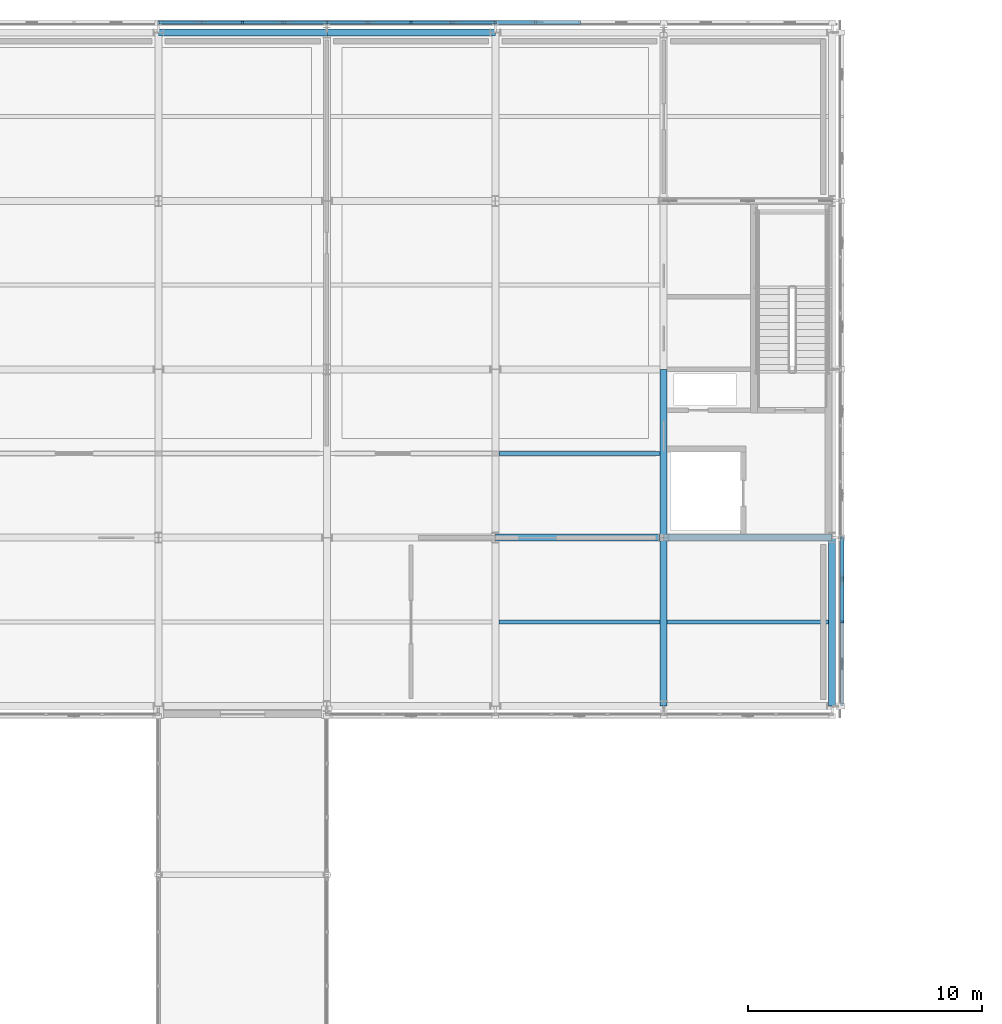
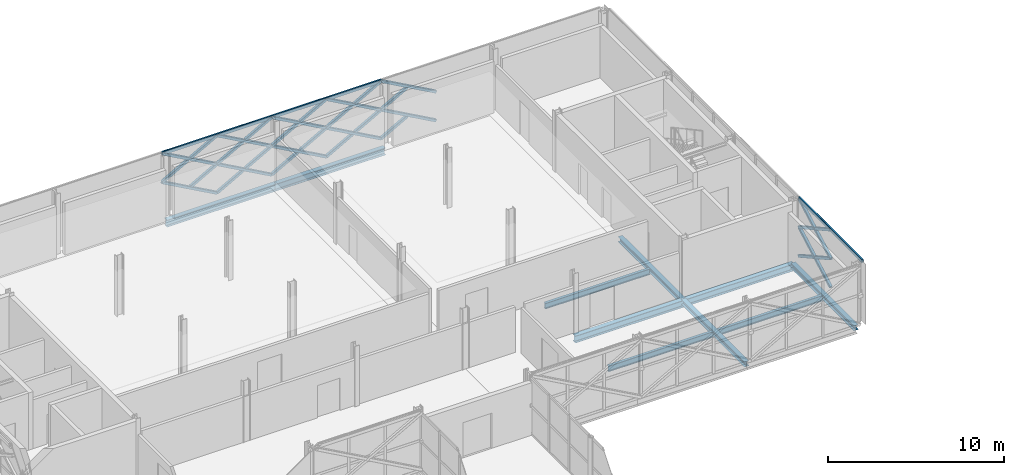
# One storey, part 64 of 146: 36 members, 10 beams.
"""IFC4 building model written with IfcOpenShell, lengths in metres."""

from ifc_helpers import new_model, si_unit, direction, frame, origin, origin_2d, place, context, subcontext, project, spatial, hollow_rectangle, i_section, extrude, material, material_profile, profile_set, type_object, element, save


model = new_model("IFC4")

# Units and contexts
model_context = context("Model", 3, precision=1e-05, world=origin(), true_north=direction((0.0, 1.0)))
body_context = subcontext(model_context, "Body", "Model", "MODEL_VIEW")
ifc_project = project(units=[si_unit("LENGTHUNIT", "METRE"), si_unit("AREAUNIT", "SQUARE_METRE"), si_unit("VOLUMEUNIT", "CUBIC_METRE"), si_unit("PLANEANGLEUNIT", "RADIAN"), si_unit("MASSUNIT", "GRAM", prefix="KILO")], contexts=[model_context])

# Site, building, storey
site_placement = place(None, origin())
site = spatial("IfcSite", under=ifc_project, at=site_placement, CompositionType="ELEMENT")
building_placement = place(site_placement, origin())
building = spatial("IfcBuilding", under=site, at=building_placement, Name="Zlatovets Crest Museum", CompositionType="ELEMENT")
storey_placement = place(building_placement, frame((0.0, 0.0, 4.5)))
storey = spatial("IfcBuildingStorey", under=building, at=storey_placement, Name="L01", CompositionType="ELEMENT", Elevation=4.5)

# Beams
ifc_material_1 = material(Name="Structural steel S355J2", Category="steel")
ifc_material_profile_1 = material_profile(ifc_material_1, i_section(OverallWidth=0.300048828125, OverallDepth=0.489990234375, WebThickness=0.011962890625, FlangeThickness=0.02294921875, FilletRadius=0.027099609375, at=origin_2d()), Name="HEA 500")
ifc_profile_set_1 = profile_set([ifc_material_profile_1], Name="Structural steel S355J2")
beam_type_1 = type_object("IfcBeamType", Name="Beam_B-01", PredefinedType="BEAM", material=ifc_profile_set_1)
for number, where, z_axis, x_axis, name in (
    (1, (93.60009765625, 93.60009765625, -0.465087890625), (1.0, 0.0, 0.0), (0.0, 1.0, 0.0), "V1 L01 Primary Girder B-01"),
    (2, (100.800048828125, 93.60009765625, -0.465087890625), (1.0, 0.0, 0.0), (0.0, 1.0, 0.0), "V1 L01 Primary Girder B-01"),
    (3, (79.199951171875, 115.199951171875, -0.465087890625), (1.0, 0.0, 0.0), (0.0, 1.0, 0.0), "V1 L01 Primary Girder B-01"),
):
    element("IfcBeam", number, at=place(storey_placement, frame(where, z_axis=z_axis, x_axis=x_axis)), inside=storey, type_object=beam_type_1, Name=name, PredefinedType="BEAM", context=body_context, shape_type="SweptSolid", body=[
        extrude(i_section(OverallWidth=0.300048828125, OverallDepth=0.489990234375, WebThickness=0.011962890625, FlangeThickness=0.02294921875, FilletRadius=0.027099609375, at=origin_2d()), origin(), (0.0, 0.0, 1.0), 7.199951171875),
    ])
beam_1_placement = place(storey_placement, frame((86.39990234375, 115.199951171875, -0.465087890625), z_axis=(1.0, 0.0, 0.0), x_axis=(0.0, 1.0, 0.0)))
element("IfcBeam", 4, at=beam_1_placement, inside=storey, type_object=beam_type_1, Name="V1 L01 Primary Girder B-01", PredefinedType="BEAM", context=body_context, shape_type="SweptSolid", body=[
    extrude(i_section(OverallWidth=0.300048828125, OverallDepth=0.489990234375, WebThickness=0.011962890625, FlangeThickness=0.02294921875, FilletRadius=0.027099609375, at=origin_2d()), origin(), (0.0, 0.0, 1.0), 7.2001953125),
])
ifc_material_profile_2 = material_profile(ifc_material_1, i_section(OverallWidth=0.300048828125, OverallDepth=0.35009765625, WebThickness=0.010009765625, FlangeThickness=0.017578125, FilletRadius=0.027099609375, at=origin_2d()), Name="HEA 360")
ifc_profile_set_2 = profile_set([ifc_material_profile_2], Name="Structural steel S355J2")
beam_type_2 = type_object("IfcBeamType", Name="Beam_B-03", PredefinedType="BEAM", material=ifc_profile_set_2)
beam_2_placement = place(storey_placement, frame((100.800048828125, 86.39990234375, -0.39501953125), z_axis=(0.0, 1.0, 0.0), x_axis=(-1.0, 0.0, 0.0)))
element("IfcBeam", 5, at=beam_2_placement, inside=storey, type_object=beam_type_2, Name="V1 L01 Grid Beam B-03", PredefinedType="BEAM", context=body_context, shape_type="SweptSolid", body=[
    extrude(i_section(OverallWidth=0.300048828125, OverallDepth=0.35009765625, WebThickness=0.010009765625, FlangeThickness=0.017578125, FilletRadius=0.027099609375, at=origin_2d()), origin(), (0.0, 0.0, 1.0), 7.2001953125),
])
beam_3_placement = place(storey_placement, frame((100.800048828125, 93.60009765625, -0.39501953125), z_axis=(0.0, 1.0, 0.0), x_axis=(-1.0, 0.0, 0.0)))
element("IfcBeam", 6, at=beam_3_placement, inside=storey, type_object=beam_type_2, Name="V1 L01 Grid Beam B-03", PredefinedType="BEAM", context=body_context, shape_type="SweptSolid", body=[
    extrude(i_section(OverallWidth=0.300048828125, OverallDepth=0.35009765625, WebThickness=0.010009765625, FlangeThickness=0.017578125, FilletRadius=0.027099609375, at=origin_2d()), origin(), (0.0, 0.0, 1.0), 7.199951171875),
])
beam_4_placement = place(storey_placement, frame((108.0, 86.39990234375, -0.39501953125), z_axis=(0.0, 1.0, 0.0), x_axis=(-1.0, 0.0, 0.0)))
element("IfcBeam", 7, at=beam_4_placement, inside=storey, type_object=beam_type_2, Name="V1 L01 Grid Beam B-03", PredefinedType="BEAM", context=body_context, shape_type="SweptSolid", body=[
    extrude(i_section(OverallWidth=0.300048828125, OverallDepth=0.35009765625, WebThickness=0.010009765625, FlangeThickness=0.017578125, FilletRadius=0.027099609375, at=origin_2d()), origin(), (0.0, 0.0, 1.0), 7.2001953125),
])
ifc_material_profile_3 = material_profile(ifc_material_1, i_section(OverallWidth=0.179931640625, OverallDepth=0.39990234375, WebThickness=0.008544921875, FlangeThickness=0.013427734375, FilletRadius=0.02099609375, at=origin_2d()), Name="IPE 400")
ifc_profile_set_3 = profile_set([ifc_material_profile_3], Name="Structural steel S355J2")
beam_type_3 = type_object("IfcBeamType", Name="Beam_J-04", PredefinedType="JOIST", material=ifc_profile_set_3)
for number, where, z_axis, x_axis, name in (
    (8, (93.75, 90.0, -0.419921875), (1.0, 0.0, 0.0), (0.0, 1.0, 0.0), "V1 L01 Composite Joist J-04"),
    (9, (93.75, 97.199951171875, -0.419921875), (1.0, 0.0, 0.0), (0.0, 1.0, 0.0), "V1 L01 Composite Joist J-04"),
):
    element("IfcBeam", number, at=place(storey_placement, frame(where, z_axis=z_axis, x_axis=x_axis)), inside=storey, type_object=beam_type_3, Name=name, PredefinedType="JOIST", context=body_context, shape_type="SweptSolid", body=[
        extrude(i_section(OverallWidth=0.179931640625, OverallDepth=0.39990234375, WebThickness=0.008544921875, FlangeThickness=0.013427734375, FilletRadius=0.02099609375, at=origin_2d()), origin(), (0.0, 0.0, 1.0), 6.89990234375),
    ])
beam_5_placement = place(storey_placement, frame((100.949951171875, 90.0, -0.419921875), z_axis=(1.0, 0.0, 0.0), x_axis=(0.0, 1.0, 0.0)))
element("IfcBeam", 10, at=beam_5_placement, inside=storey, type_object=beam_type_3, Name="V1 L01 Composite Joist J-04", PredefinedType="JOIST", context=body_context, shape_type="SweptSolid", body=[
    extrude(i_section(OverallWidth=0.179931640625, OverallDepth=0.39990234375, WebThickness=0.008544921875, FlangeThickness=0.013427734375, FilletRadius=0.02099609375, at=origin_2d()), origin(), (0.0, 0.0, 1.0), 6.900146484375),
])

# Members
ifc_material_2 = material(Name="Weathering bronze-steel S355J2W", Category="steel")
ifc_material_profile_4 = material_profile(ifc_material_2, hollow_rectangle(XDim=0.179931640625, YDim=0.179931640625, WallThickness=0.010009765625, InnerFilletRadius=0.010009765625, OuterFilletRadius=0.02001953125, at=origin_2d()), Name="SHS 180x180x10.0")
ifc_profile_set_4 = profile_set([ifc_material_profile_4], Name="Weathering bronze-steel S355J2W")
member_type_1 = type_object("IfcMemberType", Name="Lattice_XL-01", PredefinedType="BRACE", material=ifc_profile_set_4)
member_1_placement = place(storey_placement, frame((108.419921875, 90.0, 0.10009765625), z_axis=(0.0, 0.874162868644, 0.485632864501), x_axis=(-1.0, 0.0, 0.0)))
element("IfcMember", 11, at=member_1_placement, inside=storey, type_object=member_type_1, Name="Continuous Bronze Lattice Diagonal", PredefinedType="BRACE", context=body_context, shape_type="SweptSolid", body=[
    extrude(hollow_rectangle(XDim=0.179931640625, YDim=0.179931640625, WallThickness=0.010009765625, InnerFilletRadius=0.010009765625, OuterFilletRadius=0.02001953125, at=origin_2d()), origin(), (0.0, 0.0, 1.0), 4.118408203125),
])
member_2_placement = place(storey_placement, frame((108.419921875, 90.0, 2.10009765625), z_axis=(0.0, 0.874116234569, -0.48571679862), x_axis=(-1.0, 0.0, 0.0)))
element("IfcMember", 12, at=member_2_placement, inside=storey, type_object=member_type_1, Name="Split Crossing Bronze Lattice Diagonal Upper", PredefinedType="BRACE", context=body_context, shape_type="SweptSolid", body=[
    extrude(hollow_rectangle(XDim=0.179931640625, YDim=0.179931640625, WallThickness=0.010009765625, InnerFilletRadius=0.010009765625, OuterFilletRadius=0.02001953125, at=origin_2d()), origin(), (0.0, 0.0, 1.0), 1.96435546875),
])
member_3_placement = place(storey_placement, frame((108.419921875, 91.883056640625, 1.053955078125), z_axis=(0.0, 0.874169001841, -0.485621824284), x_axis=(-1.0, 0.0, 0.0)))
element("IfcMember", 13, at=member_3_placement, inside=storey, type_object=member_type_1, Name="Split Crossing Bronze Lattice Diagonal Lower", PredefinedType="BRACE", context=body_context, shape_type="SweptSolid", body=[
    extrude(hollow_rectangle(XDim=0.179931640625, YDim=0.179931640625, WallThickness=0.010009765625, InnerFilletRadius=0.010009765625, OuterFilletRadius=0.02001953125, at=origin_2d()), origin(), (0.0, 0.0, 1.0), 1.964111328125),
])
member_4_placement = place(storey_placement, frame((108.419921875, 90.0, 2.10009765625), z_axis=(0.0, 0.874162868644, 0.485632864501), x_axis=(-1.0, 0.0, 0.0)))
element("IfcMember", 14, at=member_4_placement, inside=storey, type_object=member_type_1, Name="Continuous Bronze Lattice Diagonal", PredefinedType="BRACE", context=body_context, shape_type="SweptSolid", body=[
    extrude(hollow_rectangle(XDim=0.179931640625, YDim=0.179931640625, WallThickness=0.010009765625, InnerFilletRadius=0.010009765625, OuterFilletRadius=0.02001953125, at=origin_2d()), origin(), (0.0, 0.0, 1.0), 4.118408203125),
])
member_5_placement = place(storey_placement, frame((108.419921875, 90.0, 4.10009765625), z_axis=(0.0, 0.874116234569, -0.48571679862), x_axis=(-1.0, 0.0, 0.0)))
element("IfcMember", 15, at=member_5_placement, inside=storey, type_object=member_type_1, Name="Split Crossing Bronze Lattice Diagonal Upper", PredefinedType="BRACE", context=body_context, shape_type="SweptSolid", body=[
    extrude(hollow_rectangle(XDim=0.179931640625, YDim=0.179931640625, WallThickness=0.010009765625, InnerFilletRadius=0.010009765625, OuterFilletRadius=0.02001953125, at=origin_2d()), origin(), (0.0, 0.0, 1.0), 1.96435546875),
])
member_6_placement = place(storey_placement, frame((108.419921875, 91.883056640625, 3.053955078125), z_axis=(0.0, 0.874169001841, -0.485621824284), x_axis=(-1.0, 0.0, 0.0)))
element("IfcMember", 16, at=member_6_placement, inside=storey, type_object=member_type_1, Name="Split Crossing Bronze Lattice Diagonal Lower", PredefinedType="BRACE", context=body_context, shape_type="SweptSolid", body=[
    extrude(hollow_rectangle(XDim=0.179931640625, YDim=0.179931640625, WallThickness=0.010009765625, InnerFilletRadius=0.010009765625, OuterFilletRadius=0.02001953125, at=origin_2d()), origin(), (0.0, 0.0, 1.0), 1.964111328125),
])
member_7_placement = place(storey_placement, frame((97.199951171875, 115.6201171875, 0.10009765625), z_axis=(-0.874148886685, 0.0, 0.485658031857), x_axis=(0.0, -1.0, 0.0)))
element("IfcMember", 17, at=member_7_placement, inside=storey, type_object=member_type_1, Name="Continuous Bronze Lattice Diagonal", PredefinedType="BRACE", context=body_context, shape_type="SweptSolid", body=[
    extrude(hollow_rectangle(XDim=0.179931640625, YDim=0.179931640625, WallThickness=0.010009765625, InnerFilletRadius=0.010009765625, OuterFilletRadius=0.02001953125, at=origin_2d()), origin(), (0.0, 0.0, 1.0), 4.1181640625),
])
member_8_placement = place(storey_placement, frame((95.31689453125, 115.6201171875, 1.053955078125), z_axis=(-0.874139684676, 0.0, -0.48567459443), x_axis=(0.0, -1.0, 0.0)))
element("IfcMember", 18, at=member_8_placement, inside=storey, type_object=member_type_1, Name="Split Crossing Bronze Lattice Diagonal Lower", PredefinedType="BRACE", context=body_context, shape_type="SweptSolid", body=[
    extrude(hollow_rectangle(XDim=0.179931640625, YDim=0.179931640625, WallThickness=0.010009765625, InnerFilletRadius=0.010009765625, OuterFilletRadius=0.02001953125, at=origin_2d()), origin(), (0.0, 0.0, 1.0), 1.9638671875),
])
member_9_placement = place(storey_placement, frame((97.199951171875, 115.6201171875, 2.10009765625), z_axis=(-0.874148886685, 0.0, 0.485658031857), x_axis=(0.0, -1.0, 0.0)))
element("IfcMember", 19, at=member_9_placement, inside=storey, type_object=member_type_1, Name="Continuous Bronze Lattice Diagonal", PredefinedType="BRACE", context=body_context, shape_type="SweptSolid", body=[
    extrude(hollow_rectangle(XDim=0.179931640625, YDim=0.179931640625, WallThickness=0.010009765625, InnerFilletRadius=0.010009765625, OuterFilletRadius=0.02001953125, at=origin_2d()), origin(), (0.0, 0.0, 1.0), 4.1181640625),
])
member_10_placement = place(storey_placement, frame((95.31689453125, 115.6201171875, 3.053955078125), z_axis=(-0.874139684676, 0.0, -0.48567459443), x_axis=(0.0, -1.0, 0.0)))
element("IfcMember", 20, at=member_10_placement, inside=storey, type_object=member_type_1, Name="Split Crossing Bronze Lattice Diagonal Lower", PredefinedType="BRACE", context=body_context, shape_type="SweptSolid", body=[
    extrude(hollow_rectangle(XDim=0.179931640625, YDim=0.179931640625, WallThickness=0.010009765625, InnerFilletRadius=0.010009765625, OuterFilletRadius=0.02001953125, at=origin_2d()), origin(), (0.0, 0.0, 1.0), 1.9638671875),
])
member_11_placement = place(storey_placement, frame((93.60009765625, 115.6201171875, 0.10009765625), z_axis=(-0.874162868644, 0.0, 0.485632864501), x_axis=(0.0, -1.0, 0.0)))
element("IfcMember", 21, at=member_11_placement, inside=storey, type_object=member_type_1, Name="Continuous Bronze Lattice Diagonal", PredefinedType="BRACE", context=body_context, shape_type="SweptSolid", body=[
    extrude(hollow_rectangle(XDim=0.179931640625, YDim=0.179931640625, WallThickness=0.010009765625, InnerFilletRadius=0.010009765625, OuterFilletRadius=0.02001953125, at=origin_2d()), origin(), (0.0, 0.0, 1.0), 4.118408203125),
])
member_12_placement = place(storey_placement, frame((93.60009765625, 115.6201171875, 2.10009765625), z_axis=(-0.874116234569, 0.0, -0.48571679862), x_axis=(0.0, -1.0, 0.0)))
element("IfcMember", 22, at=member_12_placement, inside=storey, type_object=member_type_1, Name="Split Crossing Bronze Lattice Diagonal Upper", PredefinedType="BRACE", context=body_context, shape_type="SweptSolid", body=[
    extrude(hollow_rectangle(XDim=0.179931640625, YDim=0.179931640625, WallThickness=0.010009765625, InnerFilletRadius=0.010009765625, OuterFilletRadius=0.02001953125, at=origin_2d()), origin(), (0.0, 0.0, 1.0), 1.96435546875),
])
member_13_placement = place(storey_placement, frame((91.717041015625, 115.6201171875, 1.053955078125), z_axis=(-0.874169001841, 0.0, -0.485621824284), x_axis=(0.0, -1.0, 0.0)))
element("IfcMember", 23, at=member_13_placement, inside=storey, type_object=member_type_1, Name="Split Crossing Bronze Lattice Diagonal Lower", PredefinedType="BRACE", context=body_context, shape_type="SweptSolid", body=[
    extrude(hollow_rectangle(XDim=0.179931640625, YDim=0.179931640625, WallThickness=0.010009765625, InnerFilletRadius=0.010009765625, OuterFilletRadius=0.02001953125, at=origin_2d()), origin(), (0.0, 0.0, 1.0), 1.964111328125),
])
member_14_placement = place(storey_placement, frame((90.0, 115.6201171875, 0.10009765625), z_axis=(-0.874162868644, 0.0, 0.485632864501), x_axis=(0.0, -1.0, 0.0)))
element("IfcMember", 24, at=member_14_placement, inside=storey, type_object=member_type_1, Name="Continuous Bronze Lattice Diagonal", PredefinedType="BRACE", context=body_context, shape_type="SweptSolid", body=[
    extrude(hollow_rectangle(XDim=0.179931640625, YDim=0.179931640625, WallThickness=0.010009765625, InnerFilletRadius=0.010009765625, OuterFilletRadius=0.02001953125, at=origin_2d()), origin(), (0.0, 0.0, 1.0), 4.118408203125),
])
member_15_placement = place(storey_placement, frame((90.0, 115.6201171875, 2.10009765625), z_axis=(-0.874116234569, 0.0, -0.48571679862), x_axis=(0.0, -1.0, 0.0)))
element("IfcMember", 25, at=member_15_placement, inside=storey, type_object=member_type_1, Name="Split Crossing Bronze Lattice Diagonal Upper", PredefinedType="BRACE", context=body_context, shape_type="SweptSolid", body=[
    extrude(hollow_rectangle(XDim=0.179931640625, YDim=0.179931640625, WallThickness=0.010009765625, InnerFilletRadius=0.010009765625, OuterFilletRadius=0.02001953125, at=origin_2d()), origin(), (0.0, 0.0, 1.0), 1.96435546875),
])
member_16_placement = place(storey_placement, frame((88.116943359375, 115.6201171875, 1.053955078125), z_axis=(-0.874169001841, 0.0, -0.485621824284), x_axis=(0.0, -1.0, 0.0)))
element("IfcMember", 26, at=member_16_placement, inside=storey, type_object=member_type_1, Name="Split Crossing Bronze Lattice Diagonal Lower", PredefinedType="BRACE", context=body_context, shape_type="SweptSolid", body=[
    extrude(hollow_rectangle(XDim=0.179931640625, YDim=0.179931640625, WallThickness=0.010009765625, InnerFilletRadius=0.010009765625, OuterFilletRadius=0.02001953125, at=origin_2d()), origin(), (0.0, 0.0, 1.0), 1.964111328125),
])
member_17_placement = place(storey_placement, frame((93.60009765625, 115.6201171875, 2.10009765625), z_axis=(-0.874162868644, 0.0, 0.485632864501), x_axis=(0.0, -1.0, 0.0)))
element("IfcMember", 27, at=member_17_placement, inside=storey, type_object=member_type_1, Name="Continuous Bronze Lattice Diagonal", PredefinedType="BRACE", context=body_context, shape_type="SweptSolid", body=[
    extrude(hollow_rectangle(XDim=0.179931640625, YDim=0.179931640625, WallThickness=0.010009765625, InnerFilletRadius=0.010009765625, OuterFilletRadius=0.02001953125, at=origin_2d()), origin(), (0.0, 0.0, 1.0), 4.118408203125),
])
member_18_placement = place(storey_placement, frame((93.60009765625, 115.6201171875, 4.10009765625), z_axis=(-0.874116234569, 0.0, -0.48571679862), x_axis=(0.0, -1.0, 0.0)))
element("IfcMember", 28, at=member_18_placement, inside=storey, type_object=member_type_1, Name="Split Crossing Bronze Lattice Diagonal Upper", PredefinedType="BRACE", context=body_context, shape_type="SweptSolid", body=[
    extrude(hollow_rectangle(XDim=0.179931640625, YDim=0.179931640625, WallThickness=0.010009765625, InnerFilletRadius=0.010009765625, OuterFilletRadius=0.02001953125, at=origin_2d()), origin(), (0.0, 0.0, 1.0), 1.96435546875),
])
member_19_placement = place(storey_placement, frame((91.717041015625, 115.6201171875, 3.053955078125), z_axis=(-0.874169001841, 0.0, -0.485621824284), x_axis=(0.0, -1.0, 0.0)))
element("IfcMember", 29, at=member_19_placement, inside=storey, type_object=member_type_1, Name="Split Crossing Bronze Lattice Diagonal Lower", PredefinedType="BRACE", context=body_context, shape_type="SweptSolid", body=[
    extrude(hollow_rectangle(XDim=0.179931640625, YDim=0.179931640625, WallThickness=0.010009765625, InnerFilletRadius=0.010009765625, OuterFilletRadius=0.02001953125, at=origin_2d()), origin(), (0.0, 0.0, 1.0), 1.964111328125),
])
member_20_placement = place(storey_placement, frame((90.0, 115.6201171875, 2.10009765625), z_axis=(-0.874162868644, 0.0, 0.485632864501), x_axis=(0.0, -1.0, 0.0)))
element("IfcMember", 30, at=member_20_placement, inside=storey, type_object=member_type_1, Name="Continuous Bronze Lattice Diagonal", PredefinedType="BRACE", context=body_context, shape_type="SweptSolid", body=[
    extrude(hollow_rectangle(XDim=0.179931640625, YDim=0.179931640625, WallThickness=0.010009765625, InnerFilletRadius=0.010009765625, OuterFilletRadius=0.02001953125, at=origin_2d()), origin(), (0.0, 0.0, 1.0), 4.118408203125),
])
member_21_placement = place(storey_placement, frame((90.0, 115.6201171875, 4.10009765625), z_axis=(-0.874116234569, 0.0, -0.48571679862), x_axis=(0.0, -1.0, 0.0)))
element("IfcMember", 31, at=member_21_placement, inside=storey, type_object=member_type_1, Name="Split Crossing Bronze Lattice Diagonal Upper", PredefinedType="BRACE", context=body_context, shape_type="SweptSolid", body=[
    extrude(hollow_rectangle(XDim=0.179931640625, YDim=0.179931640625, WallThickness=0.010009765625, InnerFilletRadius=0.010009765625, OuterFilletRadius=0.02001953125, at=origin_2d()), origin(), (0.0, 0.0, 1.0), 1.96435546875),
])
member_22_placement = place(storey_placement, frame((88.116943359375, 115.6201171875, 3.053955078125), z_axis=(-0.874169001841, 0.0, -0.485621824284), x_axis=(0.0, -1.0, 0.0)))
element("IfcMember", 32, at=member_22_placement, inside=storey, type_object=member_type_1, Name="Split Crossing Bronze Lattice Diagonal Lower", PredefinedType="BRACE", context=body_context, shape_type="SweptSolid", body=[
    extrude(hollow_rectangle(XDim=0.179931640625, YDim=0.179931640625, WallThickness=0.010009765625, InnerFilletRadius=0.010009765625, OuterFilletRadius=0.02001953125, at=origin_2d()), origin(), (0.0, 0.0, 1.0), 1.964111328125),
])
member_23_placement = place(storey_placement, frame((86.39990234375, 115.6201171875, 0.10009765625), z_axis=(-0.874148886685, 0.0, 0.485658031857), x_axis=(0.0, -1.0, 0.0)))
element("IfcMember", 33, at=member_23_placement, inside=storey, type_object=member_type_1, Name="Continuous Bronze Lattice Diagonal", PredefinedType="BRACE", context=body_context, shape_type="SweptSolid", body=[
    extrude(hollow_rectangle(XDim=0.179931640625, YDim=0.179931640625, WallThickness=0.010009765625, InnerFilletRadius=0.010009765625, OuterFilletRadius=0.02001953125, at=origin_2d()), origin(), (0.0, 0.0, 1.0), 4.1181640625),
])
for number, where, z_axis, x_axis, name in (
    (34, (86.39990234375, 115.6201171875, 2.10009765625), (-0.874086907708, 0.0, -0.485769572713), (0.0, -1.0, 0.0), "Split Crossing Bronze Lattice Diagonal Upper"),
    (35, (84.51708984375, 115.6201171875, 1.053955078125), (-0.874169001841, 0.0, -0.485621824284), (0.0, -1.0, 0.0), "Split Crossing Bronze Lattice Diagonal Lower"),
):
    element("IfcMember", number, at=place(storey_placement, frame(where, z_axis=z_axis, x_axis=x_axis)), inside=storey, type_object=member_type_1, Name=name, PredefinedType="BRACE", context=body_context, shape_type="SweptSolid", body=[
        extrude(hollow_rectangle(XDim=0.179931640625, YDim=0.179931640625, WallThickness=0.010009765625, InnerFilletRadius=0.010009765625, OuterFilletRadius=0.02001953125, at=origin_2d()), origin(), (0.0, 0.0, 1.0), 1.964111328125),
    ])
member_24_placement = place(storey_placement, frame((82.800048828125, 115.6201171875, 0.10009765625), z_axis=(-0.874162868644, 0.0, 0.485632864501), x_axis=(0.0, -1.0, 0.0)))
element("IfcMember", 36, at=member_24_placement, inside=storey, type_object=member_type_1, Name="Continuous Bronze Lattice Diagonal", PredefinedType="BRACE", context=body_context, shape_type="SweptSolid", body=[
    extrude(hollow_rectangle(XDim=0.179931640625, YDim=0.179931640625, WallThickness=0.010009765625, InnerFilletRadius=0.010009765625, OuterFilletRadius=0.02001953125, at=origin_2d()), origin(), (0.0, 0.0, 1.0), 4.118408203125),
])
member_25_placement = place(storey_placement, frame((82.800048828125, 115.6201171875, 2.10009765625), z_axis=(-0.874116234569, 0.0, -0.48571679862), x_axis=(0.0, -1.0, 0.0)))
element("IfcMember", 37, at=member_25_placement, inside=storey, type_object=member_type_1, Name="Split Crossing Bronze Lattice Diagonal Upper", PredefinedType="BRACE", context=body_context, shape_type="SweptSolid", body=[
    extrude(hollow_rectangle(XDim=0.179931640625, YDim=0.179931640625, WallThickness=0.010009765625, InnerFilletRadius=0.010009765625, OuterFilletRadius=0.02001953125, at=origin_2d()), origin(), (0.0, 0.0, 1.0), 1.96435546875),
])
member_26_placement = place(storey_placement, frame((86.39990234375, 115.6201171875, 2.10009765625), z_axis=(-0.874148886685, 0.0, 0.485658031857), x_axis=(0.0, -1.0, 0.0)))
element("IfcMember", 38, at=member_26_placement, inside=storey, type_object=member_type_1, Name="Continuous Bronze Lattice Diagonal", PredefinedType="BRACE", context=body_context, shape_type="SweptSolid", body=[
    extrude(hollow_rectangle(XDim=0.179931640625, YDim=0.179931640625, WallThickness=0.010009765625, InnerFilletRadius=0.010009765625, OuterFilletRadius=0.02001953125, at=origin_2d()), origin(), (0.0, 0.0, 1.0), 4.1181640625),
])
for number, where, z_axis, x_axis, name in (
    (39, (86.39990234375, 115.6201171875, 4.10009765625), (-0.874086907708, 0.0, -0.485769572713), (0.0, -1.0, 0.0), "Split Crossing Bronze Lattice Diagonal Upper"),
    (40, (84.51708984375, 115.6201171875, 3.053955078125), (-0.874169001841, 0.0, -0.485621824284), (0.0, -1.0, 0.0), "Split Crossing Bronze Lattice Diagonal Lower"),
):
    element("IfcMember", number, at=place(storey_placement, frame(where, z_axis=z_axis, x_axis=x_axis)), inside=storey, type_object=member_type_1, Name=name, PredefinedType="BRACE", context=body_context, shape_type="SweptSolid", body=[
        extrude(hollow_rectangle(XDim=0.179931640625, YDim=0.179931640625, WallThickness=0.010009765625, InnerFilletRadius=0.010009765625, OuterFilletRadius=0.02001953125, at=origin_2d()), origin(), (0.0, 0.0, 1.0), 1.964111328125),
    ])
member_27_placement = place(storey_placement, frame((82.800048828125, 115.6201171875, 2.10009765625), z_axis=(-0.874162868644, 0.0, 0.485632864501), x_axis=(0.0, -1.0, 0.0)))
element("IfcMember", 41, at=member_27_placement, inside=storey, type_object=member_type_1, Name="Continuous Bronze Lattice Diagonal", PredefinedType="BRACE", context=body_context, shape_type="SweptSolid", body=[
    extrude(hollow_rectangle(XDim=0.179931640625, YDim=0.179931640625, WallThickness=0.010009765625, InnerFilletRadius=0.010009765625, OuterFilletRadius=0.02001953125, at=origin_2d()), origin(), (0.0, 0.0, 1.0), 4.118408203125),
])
member_28_placement = place(storey_placement, frame((82.800048828125, 115.6201171875, 4.10009765625), z_axis=(-0.874116234569, 0.0, -0.48571679862), x_axis=(0.0, -1.0, 0.0)))
element("IfcMember", 42, at=member_28_placement, inside=storey, type_object=member_type_1, Name="Split Crossing Bronze Lattice Diagonal Upper", PredefinedType="BRACE", context=body_context, shape_type="SweptSolid", body=[
    extrude(hollow_rectangle(XDim=0.179931640625, YDim=0.179931640625, WallThickness=0.010009765625, InnerFilletRadius=0.010009765625, OuterFilletRadius=0.02001953125, at=origin_2d()), origin(), (0.0, 0.0, 1.0), 1.96435546875),
])
member_29_placement = place(storey_placement, frame((80.9169921875, 115.6201171875, 3.053955078125), z_axis=(-0.874169001841, 0.0, -0.485621824284), x_axis=(0.0, -1.0, 0.0)))
element("IfcMember", 43, at=member_29_placement, inside=storey, type_object=member_type_1, Name="Split Crossing Bronze Lattice Diagonal Lower", PredefinedType="BRACE", context=body_context, shape_type="SweptSolid", body=[
    extrude(hollow_rectangle(XDim=0.179931640625, YDim=0.179931640625, WallThickness=0.010009765625, InnerFilletRadius=0.010009765625, OuterFilletRadius=0.02001953125, at=origin_2d()), origin(), (0.0, 0.0, 1.0), 1.964111328125),
])
ifc_material_profile_5 = material_profile(ifc_material_2, hollow_rectangle(XDim=0.1201171875, YDim=0.239990234375, WallThickness=0.010009765625, InnerFilletRadius=0.010009765625, OuterFilletRadius=0.02001953125, at=origin_2d()), Name="RHS 120x240x10.0")
ifc_profile_set_5 = profile_set([ifc_material_profile_5], Name="Weathering bronze-steel S355J2W")
member_type_2 = type_object("IfcMemberType", Name="Lattice_XL-04", PredefinedType="CHORD", material=ifc_profile_set_5)
for number, where, z_axis, x_axis, name in (
    (44, (108.419921875, 86.39990234375, 4.10009765625), (0.0, 1.0, 0.0), (-1.0, 0.0, 0.0), "Art Nouveau Woven Cage Collector Ring Chord"),
    (45, (93.60009765625, 115.6201171875, 4.10009765625), (-1.0, 0.0, 0.0), (0.0, -1.0, 0.0), "Art Nouveau Woven Cage Collector Ring Chord"),
):
    element("IfcMember", number, at=place(storey_placement, frame(where, z_axis=z_axis, x_axis=x_axis)), inside=storey, type_object=member_type_2, Name=name, PredefinedType="CHORD", context=body_context, shape_type="SweptSolid", body=[
        extrude(hollow_rectangle(XDim=0.1201171875, YDim=0.239990234375, WallThickness=0.010009765625, InnerFilletRadius=0.010009765625, OuterFilletRadius=0.02001953125, at=origin_2d()), origin(), (0.0, 0.0, 1.0), 7.2001953125),
    ])
member_30_placement = place(storey_placement, frame((86.39990234375, 115.6201171875, 4.10009765625), z_axis=(-1.0, 0.0, 0.0), x_axis=(0.0, -1.0, 0.0)))
element("IfcMember", 46, at=member_30_placement, inside=storey, type_object=member_type_2, Name="Art Nouveau Woven Cage Collector Ring Chord", PredefinedType="CHORD", context=body_context, shape_type="SweptSolid", body=[
    extrude(hollow_rectangle(XDim=0.1201171875, YDim=0.239990234375, WallThickness=0.010009765625, InnerFilletRadius=0.010009765625, OuterFilletRadius=0.02001953125, at=origin_2d()), origin(), (0.0, 0.0, 1.0), 7.199951171875),
])

save(model, "model.ifc")
